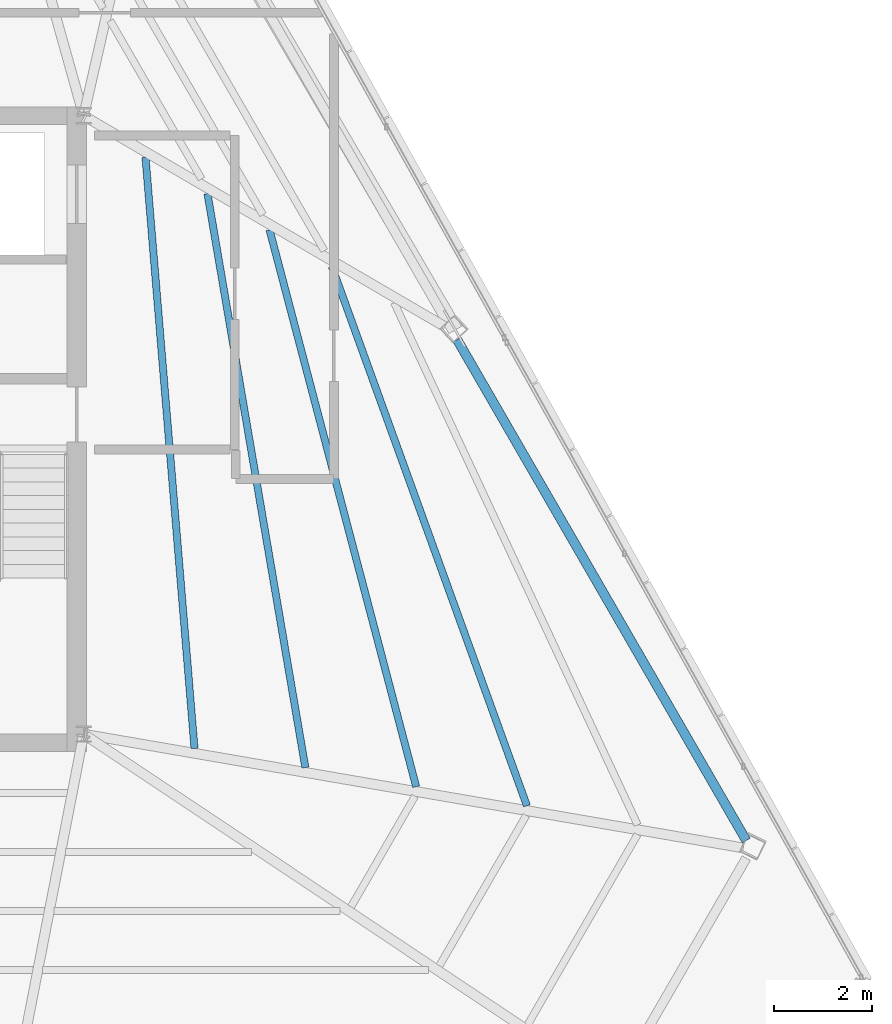
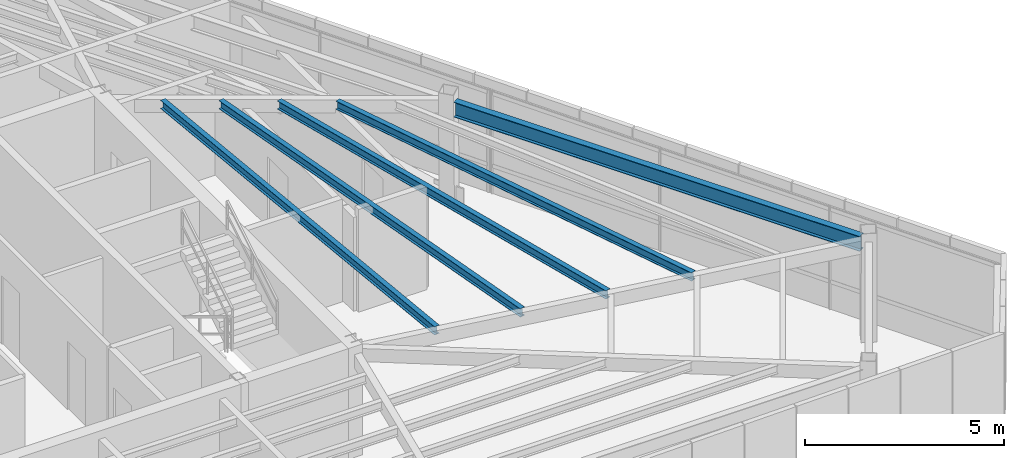
# One storey, part 24 of 44: 5 beams.
"""IFC4 building model written with IfcOpenShell, lengths in metres."""

from ifc_helpers import new_model, si_unit, direction, frame, origin, origin_2d, place, context, subcontext, project, spatial, i_section, extrude, source, transform, mapped, material, material_profile, profile_set, type_object, type_shapes, element, save


model = new_model("IFC4")

# Units and contexts
model_context = context("Model", 3, precision=1e-05, world=origin(), true_north=direction((0.0, 1.0)))
body_context = subcontext(model_context, "Body", "Model", "MODEL_VIEW")
ifc_project = project(units=[si_unit("LENGTHUNIT", "METRE"), si_unit("AREAUNIT", "SQUARE_METRE"), si_unit("VOLUMEUNIT", "CUBIC_METRE"), si_unit("PLANEANGLEUNIT", "RADIAN"), si_unit("MASSUNIT", "GRAM", prefix="KILO")], contexts=[model_context])

# Site, building, storey
site_placement = place(None, origin())
site = spatial("IfcSite", under=ifc_project, at=site_placement, CompositionType="ELEMENT")
building_placement = place(site_placement, origin())
building = spatial("IfcBuilding", under=site, at=building_placement, Name="Caelisora Broadcast Tower", CompositionType="ELEMENT")
storey_placement = place(building_placement, frame((0.0, 0.0, 296.60009765625)))
storey = spatial("IfcBuildingStorey", under=building, at=storey_placement, Name="L78", CompositionType="ELEMENT", Elevation=296.60009765625)

# Beams
ifc_material = material(Name="Steel Grade 350 (AS/NZS 3679.1)", Category="steel")
ifc_material_profile_1 = material_profile(ifc_material, i_section(OverallWidth=0.19091796875, OverallDepth=0.46044921875, WebThickness=0.010009765625, FlangeThickness=0.01611328125, at=origin_2d()), Name="Steel Grade 350 (AS/NZS 3679.1)")
ifc_profile_set_1 = profile_set([ifc_material_profile_1], Name="Steel Grade 350 (AS/NZS 3679.1)")
beam_type_1 = type_object("IfcBeamType", Name="PG06", PredefinedType="BEAM", material=ifc_profile_set_1)
shared_shape_1 = source(origin(), body_context, "Body", "SweptSolid", [
    extrude(i_section(OverallWidth=0.19091796875, OverallDepth=0.46044921875, WebThickness=0.010009765625, FlangeThickness=0.01611328125, at=origin_2d()), origin(), (0.0, 0.0, 1.0), 11.784912109375),
])
type_shapes(beam_type_1, [shared_shape_1])
beam_1_placement = place(storey_placement, frame((59.00146484375, 15.233154296875, 2.919677734375), z_axis=(-0.499991444292, 0.866030343368, 0.0), x_axis=(-0.866030343368, -0.499991444292, 0.0)))
element("IfcBeam", 1, at=beam_1_placement, inside=storey, type_object=beam_type_1, Name="L78 beam PG06", PredefinedType="BEAM", context=body_context, shape_type="MappedRepresentation", body=[
    mapped(shared_shape_1, transform((0.0, 0.0, 0.0), scale=1.0)),
])
ifc_material_profile_2 = material_profile(ifc_material, i_section(OverallWidth=0.14599609375, OverallDepth=0.256103515625, WebThickness=0.00634765625, FlangeThickness=0.010986328125, at=origin_2d()), Name="Steel Grade 350 (AS/NZS 3679.1)")
ifc_profile_set_2 = profile_set([ifc_material_profile_2], Name="Steel Grade 350 (AS/NZS 3679.1)")
beam_type_2 = type_object("IfcBeamType", Name="SB04", PredefinedType="JOIST", material=ifc_profile_set_2)
shared_shape_2 = source(origin(), body_context, "Body", "SweptSolid", [
    extrude(i_section(OverallWidth=0.14599609375, OverallDepth=0.256103515625, WebThickness=0.00634765625, FlangeThickness=0.010986328125, at=origin_2d()), origin(), (0.0, 0.0, 1.0), 12.08349609375),
])
beam_2_placement = place(storey_placement, frame((47.75927734375, 17.10888671875, 3.021728515625), z_axis=(-0.082635812121, 0.996579812436, 0.0), x_axis=(-0.996579812436, -0.082635812121, 0.0)))
element("IfcBeam", 2, at=beam_2_placement, inside=storey, type_object=beam_type_2, Name="L78 beam SB04", PredefinedType="JOIST", context=body_context, shape_type="MappedRepresentation", body=[
    mapped(shared_shape_2, transform((0.0, 0.0, 0.0), scale=1.0)),
])
shared_shape_3 = source(origin(), body_context, "Body", "SweptSolid", [
    extrude(i_section(OverallWidth=0.14599609375, OverallDepth=0.256103515625, WebThickness=0.00634765625, FlangeThickness=0.010986328125, at=origin_2d()), origin(), (0.0, 0.0, 1.0), 11.86376953125),
])
beam_3_placement = place(storey_placement, frame((50.017822265625, 16.71923828125, 3.021728515625), z_axis=(-0.168128689812, 0.985765055002, 0.0), x_axis=(-0.985765055002, -0.168128689812, 0.0)))
element("IfcBeam", 3, at=beam_3_placement, inside=storey, type_object=beam_type_2, Name="L78 beam SB04", PredefinedType="JOIST", context=body_context, shape_type="MappedRepresentation", body=[
    mapped(shared_shape_3, transform((0.0, 0.0, 0.0), scale=1.0)),
])
shared_shape_4 = source(origin(), body_context, "Body", "SweptSolid", [
    extrude(i_section(OverallWidth=0.14599609375, OverallDepth=0.256103515625, WebThickness=0.00634765625, FlangeThickness=0.010986328125, at=origin_2d()), origin(), (0.0, 0.0, 1.0), 11.732666015625),
])
beam_4_placement = place(storey_placement, frame((52.275390625, 16.329833984375, 3.021728515625), z_axis=(-0.25463464399, 0.967037330241, 0.0), x_axis=(-0.967037330241, -0.25463464399, 0.0)))
element("IfcBeam", 4, at=beam_4_placement, inside=storey, type_object=beam_type_2, Name="L78 beam SB04", PredefinedType="JOIST", context=body_context, shape_type="MappedRepresentation", body=[
    mapped(shared_shape_4, transform((0.0, 0.0, 0.0), scale=1.0)),
])
shared_shape_5 = source(origin(), body_context, "Body", "SweptSolid", [
    extrude(i_section(OverallWidth=0.14599609375, OverallDepth=0.256103515625, WebThickness=0.00634765625, FlangeThickness=0.010986328125, at=origin_2d()), origin(), (0.0, 0.0, 1.0), 11.691650390625),
])
type_shapes(beam_type_2, [shared_shape_2, shared_shape_3, shared_shape_4, shared_shape_5])
beam_5_placement = place(storey_placement, frame((54.5322265625, 15.94091796875, 3.021728515625), z_axis=(-0.340138046082, 0.94037551521, 0.0), x_axis=(-0.94037551521, -0.340138046082, 0.0)))
element("IfcBeam", 5, at=beam_5_placement, inside=storey, type_object=beam_type_2, Name="L78 beam SB04", PredefinedType="JOIST", context=body_context, shape_type="MappedRepresentation", body=[
    mapped(shared_shape_5, transform((0.0, 0.0, 0.0), scale=1.0)),
])

save(model, "model.ifc")
